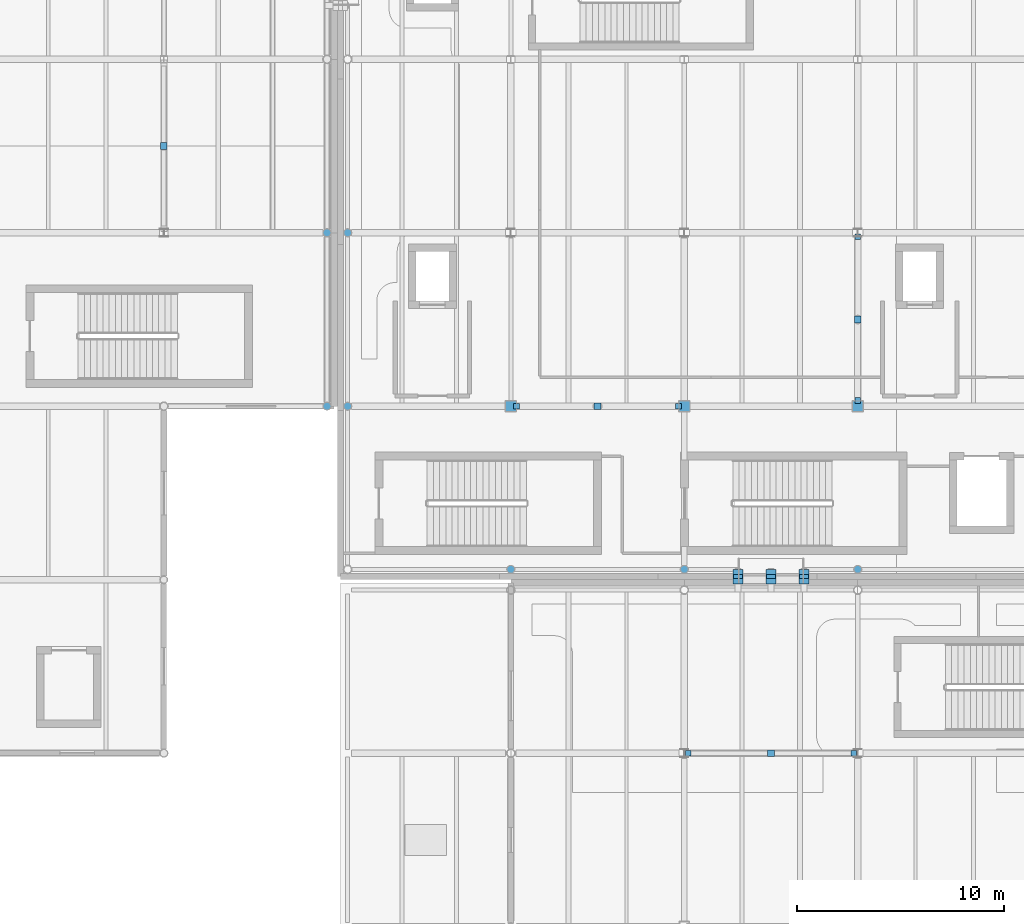
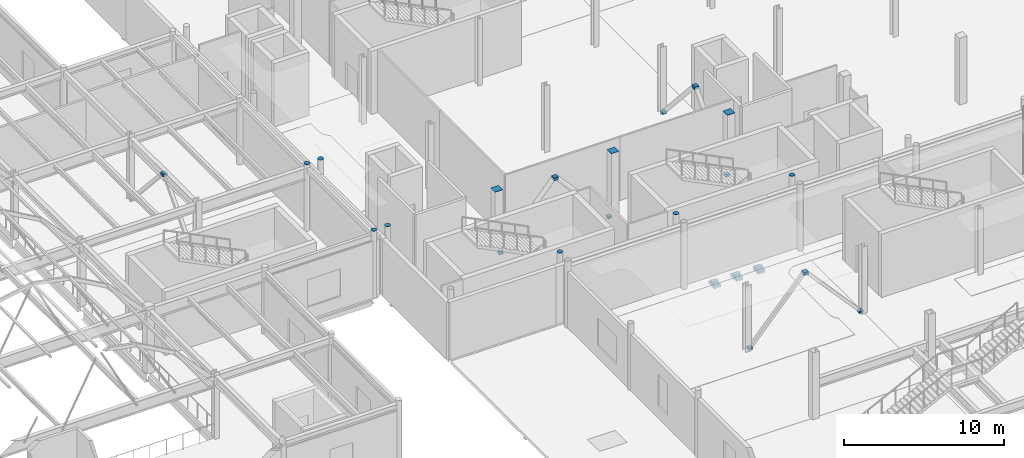
# One storey, part 77 of 103: 26 discrete accessories.
"""IFC4 building model written with IfcOpenShell, lengths in metres."""

from ifc_helpers import new_model, si_unit, direction, frame, origin, origin_2d, place, context, subcontext, project, spatial, rectangle, circle, extrude, material, type_object, element, save


model = new_model("IFC4")

# Units and contexts
model_context = context("Model", 3, precision=1e-05, world=origin(), true_north=direction((0.0, 1.0)))
body_context = subcontext(model_context, "Body", "Model", "MODEL_VIEW")
ifc_project = project(units=[si_unit("LENGTHUNIT", "METRE"), si_unit("AREAUNIT", "SQUARE_METRE"), si_unit("VOLUMEUNIT", "CUBIC_METRE"), si_unit("PLANEANGLEUNIT", "RADIAN"), si_unit("MASSUNIT", "GRAM", prefix="KILO"), si_unit("THERMODYNAMICTEMPERATUREUNIT", "KELVIN")], contexts=[model_context])

# Site, building, storey
site_placement = place(None, origin())
site = spatial("IfcSite", under=ifc_project, at=site_placement, CompositionType="ELEMENT")
building_placement = place(site_placement, origin())
building = spatial("IfcBuilding", under=site, at=building_placement, Name="Lustrewick Department Store", CompositionType="ELEMENT")
storey_placement = place(building_placement, frame((0.0, 0.0, 16.5)))
storey = spatial("IfcBuildingStorey", under=building, at=storey_placement, Name="L04", CompositionType="ELEMENT", Elevation=16.5)

# Discrete accessories
ifc_material = material(Name="Structural steel Q355C", Category="steel")
discrete_accessory_type_1 = type_object("IfcDiscreteAccessoryType", Name="GUS-NODE", PredefinedType="BRACKET", material=ifc_material)
discrete_accessory_1_placement = place(storey_placement, frame((100.800048828125, 71.39990234375, 4.38525390625), z_axis=(0.0, 0.0, 1.0), x_axis=(1.0, 0.0, 0.0)))
element("IfcDiscreteAccessory", 1, at=discrete_accessory_1_placement, inside=storey, type_object=discrete_accessory_type_1, Name="L04 V2 Chevron Brace Apex Gusset Plate", PredefinedType="BRACKET", context=body_context, shape_type="SweptSolid", body=[
    extrude(rectangle(XDim=0.320068359375, YDim=0.320068359375, at=origin_2d()), origin(), (0.0, 0.0, 1.0), 0.219970703125),
])
for number, where, z_axis, x_axis, name in (
    (2, (126.194091796875, 42.0, 0.06005859375), (0.0, 0.0, 1.0), (1.0, 0.0, 0.0), "L04 V3 Brace Base Gusset Plate"),
    (3, (134.2060546875, 42.0, 0.06005859375), (0.0, 0.0, 1.0), (1.0, 0.0, 0.0), "L04 V3 Brace Base Gusset Plate"),
):
    element("IfcDiscreteAccessory", number, at=place(storey_placement, frame(where, z_axis=z_axis, x_axis=x_axis)), inside=storey, type_object=discrete_accessory_type_1, Name=name, PredefinedType="BRACKET", context=body_context, shape_type="SweptSolid", body=[
        extrude(rectangle(XDim=0.280029296875, YDim=0.280029296875, at=origin_2d()), origin(), (0.0, 0.0, 1.0), 0.179931640625),
    ])
discrete_accessory_2_placement = place(storey_placement, frame((130.199951171875, 42.0, 4.38525390625), z_axis=(0.0, 0.0, 1.0), x_axis=(1.0, 0.0, 0.0)))
element("IfcDiscreteAccessory", 4, at=discrete_accessory_2_placement, inside=storey, type_object=discrete_accessory_type_1, Name="L04 V3 Chevron Brace Apex Gusset Plate", PredefinedType="BRACKET", context=body_context, shape_type="SweptSolid", body=[
    extrude(rectangle(XDim=0.320068359375, YDim=0.320068359375, at=origin_2d()), origin(), (0.0, 0.0, 1.0), 0.219970703125),
])
for number, where, z_axis, x_axis, name in (
    (5, (117.875, 58.800048828125, 0.06005859375), (0.0, 0.0, 1.0), (1.0, 0.0, 0.0), "L04 V4 Brace Base Gusset Plate"),
    (6, (125.72509765625, 58.800048828125, 0.06005859375), (0.0, 0.0, 1.0), (1.0, 0.0, 0.0), "L04 V4 Brace Base Gusset Plate"),
):
    element("IfcDiscreteAccessory", number, at=place(storey_placement, frame(where, z_axis=z_axis, x_axis=x_axis)), inside=storey, type_object=discrete_accessory_type_1, Name=name, PredefinedType="BRACKET", context=body_context, shape_type="SweptSolid", body=[
        extrude(rectangle(XDim=0.280029296875, YDim=0.280029296875, at=origin_2d()), origin(), (0.0, 0.0, 1.0), 0.179931640625),
    ])
discrete_accessory_3_placement = place(storey_placement, frame((121.800048828125, 58.800048828125, 4.38525390625), z_axis=(0.0, 0.0, 1.0), x_axis=(1.0, 0.0, 0.0)))
element("IfcDiscreteAccessory", 7, at=discrete_accessory_3_placement, inside=storey, type_object=discrete_accessory_type_1, Name="L04 V4 Chevron Brace Apex Gusset Plate", PredefinedType="BRACKET", context=body_context, shape_type="SweptSolid", body=[
    extrude(rectangle(XDim=0.320068359375, YDim=0.320068359375, at=origin_2d()), origin(), (0.0, 0.0, 1.0), 0.219970703125),
])
for number, where, z_axis, x_axis, name in (
    (8, (134.39990234375, 59.074951171875, 0.06005859375), (0.0, 0.0, 1.0), (1.0, 0.0, 0.0), "L04 V4 Brace Base Gusset Plate"),
    (9, (134.39990234375, 67.006103515625, 0.06005859375), (0.0, 0.0, 1.0), (1.0, 0.0, 0.0), "L04 V4 Brace Base Gusset Plate"),
):
    element("IfcDiscreteAccessory", number, at=place(storey_placement, frame(where, z_axis=z_axis, x_axis=x_axis)), inside=storey, type_object=discrete_accessory_type_1, Name=name, PredefinedType="BRACKET", context=body_context, shape_type="SweptSolid", body=[
        extrude(rectangle(XDim=0.280029296875, YDim=0.280029296875, at=origin_2d()), origin(), (0.0, 0.0, 1.0), 0.179931640625),
    ])
discrete_accessory_4_placement = place(storey_placement, frame((134.39990234375, 63.0, 4.38525390625), z_axis=(0.0, 0.0, 1.0), x_axis=(1.0, 0.0, 0.0)))
element("IfcDiscreteAccessory", 10, at=discrete_accessory_4_placement, inside=storey, type_object=discrete_accessory_type_1, Name="L04 V4 Chevron Brace Apex Gusset Plate", PredefinedType="BRACKET", context=body_context, shape_type="SweptSolid", body=[
    extrude(rectangle(XDim=0.320068359375, YDim=0.320068359375, at=origin_2d()), origin(), (0.0, 0.0, 1.0), 0.219970703125),
])
discrete_accessory_type_2 = type_object("IfcDiscreteAccessoryType", Name="SB-CORBEL", PredefinedType="BRACKET", material=ifc_material)
for number, where, z_axis, x_axis, name in (
    (11, (128.60009765625, 50.550048828125, -1.11279296875), (0.0, 0.0, 1.0), (1.0, 0.0, 0.0), "L04 Skybridge SB34 700 mm Bearing Seat Corbel 1"),
    (12, (130.199951171875, 50.550048828125, -1.11279296875), (0.0, 0.0, 1.0), (1.0, 0.0, 0.0), "L04 Skybridge SB34 700 mm Bearing Seat Corbel 2"),
    (13, (131.800048828125, 50.550048828125, -1.11279296875), (0.0, 0.0, 1.0), (1.0, 0.0, 0.0), "L04 Skybridge SB34 700 mm Bearing Seat Corbel 3"),
):
    element("IfcDiscreteAccessory", number, at=place(storey_placement, frame(where, z_axis=z_axis, x_axis=x_axis)), inside=storey, type_object=discrete_accessory_type_2, Name=name, PredefinedType="BRACKET", context=body_context, shape_type="SweptSolid", body=[
        extrude(rectangle(XDim=0.47998046875, YDim=0.699951171875, at=origin_2d()), origin(), (0.0, 0.0, 1.0), 0.219970703125),
    ])
discrete_accessory_type_3 = type_object("IfcDiscreteAccessoryType", Name="SB-PTFE", PredefinedType="BRACKET", material=ifc_material)
for number, where, z_axis, x_axis, name in (
    (14, (128.60009765625, 50.550048828125, -0.89306640625), (0.0, 0.0, 1.0), (1.0, 0.0, 0.0), "L04 Skybridge SB34 PTFE Sliding Bearing 1"),
    (15, (130.199951171875, 50.550048828125, -0.89306640625), (0.0, 0.0, 1.0), (1.0, 0.0, 0.0), "L04 Skybridge SB34 PTFE Sliding Bearing 2"),
    (16, (131.800048828125, 50.550048828125, -0.89306640625), (0.0, 0.0, 1.0), (1.0, 0.0, 0.0), "L04 Skybridge SB34 PTFE Sliding Bearing 3"),
):
    element("IfcDiscreteAccessory", number, at=place(storey_placement, frame(where, z_axis=z_axis, x_axis=x_axis)), inside=storey, type_object=discrete_accessory_type_3, Name=name, PredefinedType="BRACKET", context=body_context, shape_type="SweptSolid", body=[
        extrude(rectangle(XDim=0.449951171875, YDim=0.199951171875, at=origin_2d()), origin(), (0.0, 0.0, 1.0), 0.159912109375),
    ])
discrete_accessory_type_4 = type_object("IfcDiscreteAccessoryType", Name="ECP-01", PredefinedType="USERDEFINED", material=ifc_material)
for number, where, z_axis, x_axis, name in (
    (17, (134.39990234375, 58.800048828125, 5.093994140625), (0.0, 0.0, 1.0), (1.0, 0.0, 0.0), "L04 Welded Hollow-Section End-Cap Plate ECP-01"),
    (18, (126.0, 58.800048828125, 5.093994140625), (0.0, 0.0, 1.0), (1.0, 0.0, 0.0), "L04 Welded Hollow-Section End-Cap Plate ECP-01"),
):
    element("IfcDiscreteAccessory", number, at=place(storey_placement, frame(where, z_axis=z_axis, x_axis=x_axis)), inside=storey, type_object=discrete_accessory_type_4, Name=name, ObjectType="END_CAP_PLATE", PredefinedType="USERDEFINED", context=body_context, shape_type="SweptSolid", body=[
        extrude(rectangle(XDim=0.550048828125, YDim=0.550048828125, at=origin_2d()), origin(), (0.0, 0.0, 1.0), 0.01611328125),
    ])
for number, where, z_axis, x_axis, name in (
    (19, (108.699951171875, 67.199951171875, 5.093994140625), (0.0, 0.0, 1.0), (1.0, 0.0, 0.0), "L04 Welded Hollow-Section End-Cap Plate ECP-01"),
    (20, (134.39990234375, 50.89990234375, 5.093994140625), (0.0, 0.0, 1.0), (1.0, 0.0, 0.0), "L04 Welded Hollow-Section End-Cap Plate ECP-01"),
):
    element("IfcDiscreteAccessory", number, at=place(storey_placement, frame(where, z_axis=z_axis, x_axis=x_axis)), inside=storey, type_object=discrete_accessory_type_4, Name=name, ObjectType="END_CAP_PLATE", PredefinedType="USERDEFINED", context=body_context, shape_type="SweptSolid", body=[
        extrude(circle(Radius=0.1884765625, at=origin_2d()), origin(), (0.0, 0.0, 1.0), 0.01611328125),
    ])
discrete_accessory_5_placement = place(storey_placement, frame((117.60009765625, 58.800048828125, 5.093994140625), z_axis=(0.0, 0.0, 1.0), x_axis=(1.0, 0.0, 0.0)))
element("IfcDiscreteAccessory", 21, at=discrete_accessory_5_placement, inside=storey, type_object=discrete_accessory_type_4, Name="L04 Welded Hollow-Section End-Cap Plate ECP-01", ObjectType="END_CAP_PLATE", PredefinedType="USERDEFINED", context=body_context, shape_type="SweptSolid", body=[
    extrude(rectangle(XDim=0.550048828125, YDim=0.550048828125, at=origin_2d()), origin(), (0.0, 0.0, 1.0), 0.01611328125),
])
for number, where, z_axis, x_axis, name in (
    (22, (109.699951171875, 58.800048828125, 5.093994140625), (0.0, 0.0, 1.0), (1.0, 0.0, 0.0), "L04 Welded Hollow-Section End-Cap Plate ECP-01"),
    (23, (117.60009765625, 50.89990234375, 5.093994140625), (0.0, 0.0, 1.0), (1.0, 0.0, 0.0), "L04 Welded Hollow-Section End-Cap Plate ECP-01"),
    (24, (126.0, 50.89990234375, 5.093994140625), (0.0, 0.0, 1.0), (1.0, 0.0, 0.0), "L04 Welded Hollow-Section End-Cap Plate ECP-01"),
    (25, (109.699951171875, 67.199951171875, 5.093994140625), (0.0, 0.0, 1.0), (1.0, 0.0, 0.0), "L04 Welded Hollow-Section End-Cap Plate ECP-01"),
    (26, (108.699951171875, 58.800048828125, 5.093994140625), (0.0, 0.0, 1.0), (1.0, 0.0, 0.0), "L04 Welded Hollow-Section End-Cap Plate ECP-01"),
):
    element("IfcDiscreteAccessory", number, at=place(storey_placement, frame(where, z_axis=z_axis, x_axis=x_axis)), inside=storey, type_object=discrete_accessory_type_4, Name=name, ObjectType="END_CAP_PLATE", PredefinedType="USERDEFINED", context=body_context, shape_type="SweptSolid", body=[
        extrude(circle(Radius=0.1884765625, at=origin_2d()), origin(), (0.0, 0.0, 1.0), 0.01611328125),
    ])

save(model, "model.ifc")
